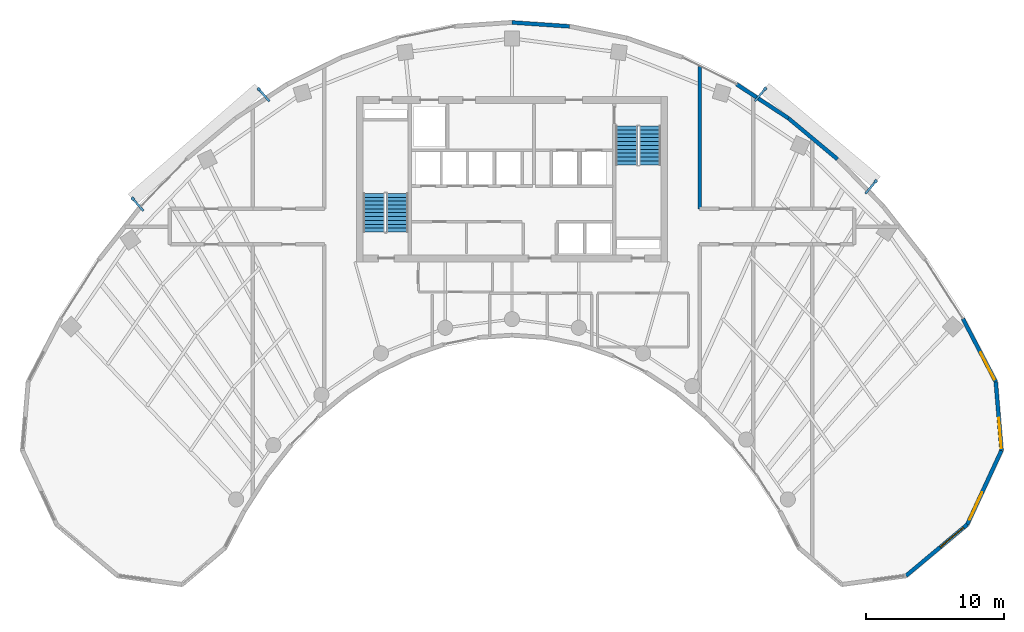
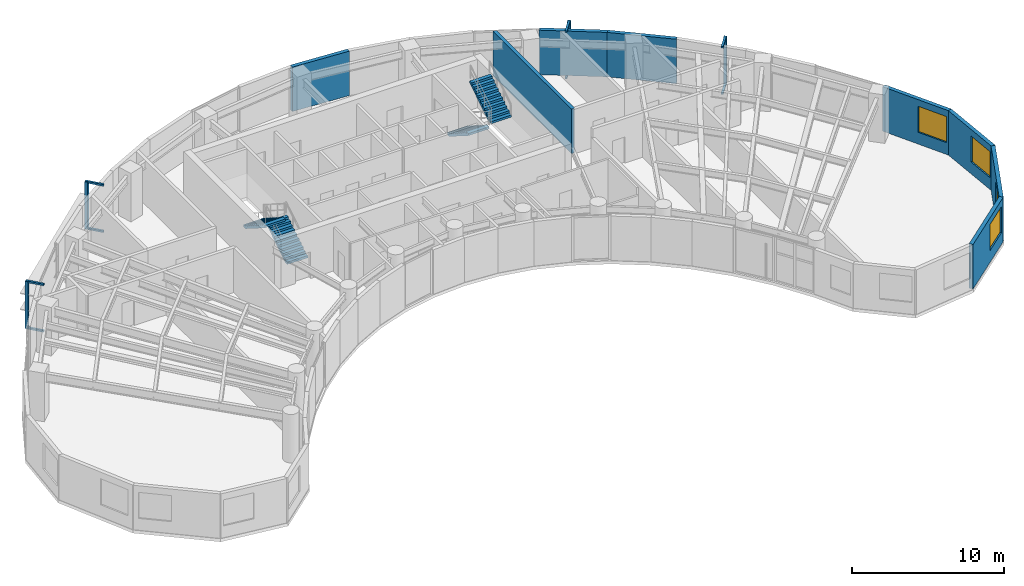
# One storey, part 11 of 13: 12 discrete accessories, 8 walls, 4 stair flights, 4 windows, 4 openings, 2 elements without a shape of their own.
"""IFC4 building model written with IfcOpenShell, lengths in metres."""

from ifc_helpers import new_model, si_unit, direction, frame, frame_2d, origin, origin_2d, place, context, subcontext, project, spatial, polyline, rectangle, outline, extrude, source, transform, mapped, material, layer, layer_set, type_object, type_shapes, element, fill, aggregate, save


model = new_model("IFC4")

# Units and contexts
model_context = context("Model", 3, precision=1e-05, world=origin(), true_north=direction((0.0, 1.0)))
body_context = subcontext(model_context, "Body", "Model", "MODEL_VIEW")
ifc_project = project(units=[si_unit("LENGTHUNIT", "METRE"), si_unit("AREAUNIT", "SQUARE_METRE"), si_unit("VOLUMEUNIT", "CUBIC_METRE"), si_unit("PLANEANGLEUNIT", "RADIAN"), si_unit("MASSUNIT", "GRAM", prefix="KILO")], contexts=[model_context])

# Site, building, storey
site_placement = place(None, origin())
site = spatial("IfcSite", under=ifc_project, at=site_placement, CompositionType="ELEMENT")
building_placement = place(site_placement, origin())
building = spatial("IfcBuilding", under=site, at=building_placement, Name="Breltana Convention Tower", CompositionType="ELEMENT")
storey_placement = place(building_placement, frame((0.0, 0.0, 185.699951171875)))
storey = spatial("IfcBuildingStorey", under=building, at=storey_placement, Name="L45", CompositionType="ELEMENT", Elevation=185.699951171875)

# Wall, opening, window
ifc_material_1 = material(Name="Limestone Buff Insulated Wall", Category="masonry")
ifc_layer_1 = layer(ifc_material_1, 0.280029296875, Name="Limestone Buff Insulated Wall")
ifc_layer_set_1 = layer_set([ifc_layer_1], Name="Limestone Buff Insulated Wall")
wall_type_1 = type_object("IfcWallType", Name="WL-EXT-NOSE-280", PredefinedType="SOLIDWALL", material=ifc_layer_set_1)
shared_shape_1 = source(origin(), body_context, "Body", "SweptSolid", [
    extrude(rectangle(XDim=4.994384765625, YDim=0.280029296875, at=frame_2d((2.4970703125, 0.0))), origin(), (0.0, 0.0, 1.0), 3.580078125),
])
wall_1_placement = place(storey_placement, frame((83.102294921875, 51.48876953125, 0.0), z_axis=(0.0, 0.0, 1.0), x_axis=(0.083344839916, -0.996520766296, 0.0)))
wall_1 = element("IfcWall", 1, at=wall_1_placement, inside=storey, type_object=wall_type_1, Name="L45 curved limestone nose wall E1", PredefinedType="SOLIDWALL", context=body_context, shape_type="MappedRepresentation", body=[
    mapped(shared_shape_1, transform((0.0, 0.0, 0.0), scale=1.0)),
])
opening_1_placement = place(wall_1_placement, frame((2.634521484375, 0.0, 0.949951171875)))
opening_1 = element("IfcOpeningElement", 2, at=opening_1_placement, cuts=wall_1, Name="Opening W-03", PredefinedType="OPENING", context=body_context, shape_type="SweptSolid", body=[
    extrude(rectangle(XDim=2.199951171875, YDim=2.10009765625, at=frame_2d((1.10009765625, 1.050048828125))), frame((0.0, 0.14990234375, 0.0), z_axis=(0.0, -1.0, 0.0), x_axis=(1.0, 0.0, 0.0)), (0.0, 0.0, 1.0), 0.300048828125),
])
ifc_material_2 = material(Name="Glass Low-E Insulated Window", Category="glass")
window_type = type_object("IfcWindowType", Name="WN-NOSE-2200X2100", PartitioningType="TRIPLE_PANEL_VERTICAL", PredefinedType="WINDOW", material=ifc_material_2)
shared_shape_2 = source(origin(), body_context, "Body", "SweptSolid", [
    extrude(rectangle(XDim=2.199951171875, YDim=2.10009765625, at=frame_2d((1.10009765625, 1.050048828125))), frame((0.0, 0.030029296875, 0.0), z_axis=(0.0, -1.0, 0.0), x_axis=(1.0, 0.0, 0.0)), (0.0, 0.0, 1.0), 0.06005859375),
])
type_shapes(window_type, [shared_shape_2])
window_1_placement = place(opening_1_placement, origin())
window_1 = element("IfcWindow", 3, at=window_1_placement, inside=storey, type_object=window_type, Name="L45 nose window E1", OverallHeight=2.10009765625, OverallWidth=2.199951171875, PartitioningType="TRIPLE_PANEL_VERTICAL", PredefinedType="WINDOW", context=body_context, shape_type="MappedRepresentation", body=[
    mapped(shared_shape_2, transform((0.0, 0.0, 0.0), scale=1.0)),
])
fill(opening_1, window_1)

shared_shape_3 = source(origin(), body_context, "Body", "SweptSolid", [
    extrude(rectangle(XDim=5.927490234375, YDim=0.280029296875, at=frame_2d((2.9638671875, 0.0))), origin(), (0.0, 0.0, 1.0), 3.580078125),
])
wall_2_placement = place(storey_placement, frame((83.5185546875, 46.51171875, 0.0), z_axis=(0.0, 0.0, 1.0), x_axis=(-0.419656204795, -0.907683132914, 0.0)))
wall_2 = element("IfcWall", 4, at=wall_2_placement, inside=storey, type_object=wall_type_1, Name="L45 curved limestone nose wall E2", PredefinedType="SOLIDWALL", context=body_context, shape_type="MappedRepresentation", body=[
    mapped(shared_shape_3, transform((0.0, 0.0, 0.0), scale=1.0)),
])
opening_2_placement = place(wall_2_placement, frame((3.345703125, 0.0, 0.949951171875)))
opening_2 = element("IfcOpeningElement", 5, at=opening_2_placement, cuts=wall_2, Name="Opening W-03", PredefinedType="OPENING", context=body_context, shape_type="SweptSolid", body=[
    extrude(rectangle(XDim=2.199951171875, YDim=2.10009765625, at=frame_2d((1.10009765625, 1.050048828125))), frame((0.0, 0.14990234375, 0.0), z_axis=(0.0, -1.0, 0.0), x_axis=(1.0, 0.0, 0.0)), (0.0, 0.0, 1.0), 0.300048828125),
])
window_2_placement = place(opening_2_placement, origin())
window_2 = element("IfcWindow", 6, at=window_2_placement, inside=storey, type_object=window_type, Name="L45 nose window E2", OverallHeight=2.10009765625, OverallWidth=2.199951171875, PartitioningType="TRIPLE_PANEL_VERTICAL", PredefinedType="WINDOW", context=body_context, shape_type="MappedRepresentation", body=[
    mapped(shared_shape_2, transform((0.0, 0.0, 0.0), scale=1.0)),
])
fill(opening_2, window_2)

shared_shape_4 = source(origin(), body_context, "Body", "SweptSolid", [
    extrude(rectangle(XDim=5.786376953125, YDim=0.280029296875, at=frame_2d((2.89306640625, 0.0))), origin(), (0.0, 0.0, 1.0), 3.580078125),
])
wall_3_placement = place(storey_placement, frame((81.031005859375, 41.13134765625, 0.0), z_axis=(0.0, 0.0, 1.0), x_axis=(-0.766711306852, -0.641992034176, 0.0)))
wall_3 = element("IfcWall", 7, at=wall_3_placement, inside=storey, type_object=wall_type_1, Name="L45 curved limestone nose wall E3", PredefinedType="SOLIDWALL", context=body_context, shape_type="MappedRepresentation", body=[
    mapped(shared_shape_4, transform((0.0, 0.0, 0.0), scale=1.0)),
])
opening_3_placement = place(wall_3_placement, frame((0.3466796875, 0.0, 0.949951171875)))
opening_3 = element("IfcOpeningElement", 8, at=opening_3_placement, cuts=wall_3, Name="Opening W-03", PredefinedType="OPENING", context=body_context, shape_type="SweptSolid", body=[
    extrude(rectangle(XDim=2.199951171875, YDim=2.10009765625, at=frame_2d((1.10009765625, 1.050048828125))), frame((0.0, 0.14990234375, 0.0), z_axis=(0.0, -1.0, 0.0), x_axis=(1.0, 0.0, 0.0)), (0.0, 0.0, 1.0), 0.300048828125),
])
window_3_placement = place(opening_3_placement, origin())
window_3 = element("IfcWindow", 9, at=window_3_placement, inside=storey, type_object=window_type, Name="L45 nose window E3", OverallHeight=2.10009765625, OverallWidth=2.199951171875, PartitioningType="TRIPLE_PANEL_VERTICAL", PredefinedType="WINDOW", context=body_context, shape_type="MappedRepresentation", body=[
    mapped(shared_shape_2, transform((0.0, 0.0, 0.0), scale=1.0)),
])
fill(opening_3, window_3)

shared_shape_5 = source(origin(), body_context, "Body", "SweptSolid", [
    extrude(rectangle(XDim=5.1708984375, YDim=0.280029296875, at=frame_2d((2.58544921875, 0.0))), origin(), (0.0, 0.0, 1.0), 3.580078125),
])
wall_4_placement = place(storey_placement, frame((80.714599609375, 56.075439453125, 0.0), z_axis=(0.0, 0.0, 1.0), x_axis=(0.461752581363, -0.887008767491, 0.0)))
wall_4 = element("IfcWall", 10, at=wall_4_placement, inside=storey, type_object=wall_type_1, Name="L45 curved limestone nose wall E33", PredefinedType="SOLIDWALL", context=body_context, shape_type="MappedRepresentation", body=[
    mapped(shared_shape_5, transform((0.0, 0.0, 0.0), scale=1.0)),
])
opening_4_placement = place(wall_4_placement, frame((2.7783203125, 0.0, 0.949951171875)))
opening_4 = element("IfcOpeningElement", 11, at=opening_4_placement, cuts=wall_4, Name="Opening W-03", PredefinedType="OPENING", context=body_context, shape_type="SweptSolid", body=[
    extrude(rectangle(XDim=2.199951171875, YDim=2.10009765625, at=frame_2d((1.10009765625, 1.050048828125))), frame((0.0, 0.14990234375, 0.0), z_axis=(0.0, -1.0, 0.0), x_axis=(1.0, 0.0, 0.0)), (0.0, 0.0, 1.0), 0.300048828125),
])
window_4_placement = place(opening_4_placement, origin())
window_4 = element("IfcWindow", 12, at=window_4_placement, inside=storey, type_object=window_type, Name="L45 nose window E33", OverallHeight=2.10009765625, OverallWidth=2.199951171875, PartitioningType="TRIPLE_PANEL_VERTICAL", PredefinedType="WINDOW", context=body_context, shape_type="MappedRepresentation", body=[
    mapped(shared_shape_2, transform((0.0, 0.0, 0.0), scale=1.0)),
])
fill(opening_4, window_4)

# Walls
shared_shape_6 = source(origin(), body_context, "Body", "SweptSolid", [
    extrude(rectangle(XDim=4.633544921875, YDim=0.280029296875, at=frame_2d((2.31689453125, 0.0))), origin(), (0.0, 0.0, 1.0), 3.580078125),
])
wall_5_placement = place(storey_placement, frame((68.060791015625, 70.610107421875, 0.0), z_axis=(0.0, 0.0, 1.0), x_axis=(0.767910229096, -0.640557475993, 0.0)))
element("IfcWall", 13, at=wall_5_placement, inside=storey, type_object=wall_type_1, Name="L45 curved limestone nose wall E30", PredefinedType="SOLIDWALL", context=body_context, shape_type="MappedRepresentation", body=[
    mapped(shared_shape_6, transform((0.0, 0.0, 0.0), scale=1.0)),
])
shared_shape_7 = source(origin(), body_context, "Body", "SweptSolid", [
    extrude(rectangle(XDim=4.500732421875, YDim=0.280029296875, at=frame_2d((2.25048828125, 0.0))), origin(), (0.0, 0.0, 1.0), 3.580078125),
])
wall_6_placement = place(storey_placement, frame((64.29833984375, 73.079833984375, 0.0), z_axis=(0.0, 0.0, 1.0), x_axis=(0.835984920737, -0.548752414391, 0.0)))
element("IfcWall", 14, at=wall_6_placement, inside=storey, type_object=wall_type_1, Name="L45 curved limestone nose wall E29", PredefinedType="SOLIDWALL", context=body_context, shape_type="MappedRepresentation", body=[
    mapped(shared_shape_7, transform((0.0, 0.0, 0.0), scale=1.0)),
])
shared_shape_8 = source(origin(), body_context, "Body", "SweptSolid", [
    extrude(rectangle(XDim=4.189208984375, YDim=0.280029296875, at=frame_2d((2.0947265625, 0.0))), origin(), (0.0, 0.0, 1.0), 3.580078125),
])
wall_7_placement = place(storey_placement, frame((48.0, 77.563720703125, 0.0), z_axis=(0.0, 0.0, 1.0), x_axis=(0.997700560699, -0.067776036921, 0.0)))
element("IfcWall", 15, at=wall_7_placement, inside=storey, type_object=wall_type_1, Name="L45 curved limestone nose wall E26", PredefinedType="SOLIDWALL", context=body_context, shape_type="MappedRepresentation", body=[
    mapped(shared_shape_8, transform((0.0, 0.0, 0.0), scale=1.0)),
])
ifc_material_3 = material(Name="Gypsum Acoustic Double Stud Wall")
ifc_layer_2 = layer(ifc_material_3, 0.25, Name="Gypsum Acoustic Double Stud Wall")
ifc_layer_set_2 = layer_set([ifc_layer_2], Name="Gypsum Acoustic Double Stud Wall")
wall_type_2 = type_object("IfcWallType", Name="WL-ACOUSTIC-250", PredefinedType="PARTITIONING", material=ifc_layer_set_2)
shared_shape_9 = source(origin(), body_context, "Body", "SweptSolid", [
    extrude(rectangle(XDim=10.346435546875, YDim=0.25, at=frame_2d((5.17333984375, 0.0))), origin(), (0.0, 0.0, 1.0), 3.580078125),
])
wall_8_placement = place(storey_placement, frame((61.639892578125, 64.0400390625, 0.0), z_axis=(0.0, 0.0, 1.0), x_axis=(0.0, 1.0, 0.0)))
element("IfcWall", 16, at=wall_8_placement, inside=storey, type_object=wall_type_2, Name="L45 interior partition W-L45-ZODD-EN", PredefinedType="PARTITIONING", context=body_context, shape_type="MappedRepresentation", body=[
    mapped(shared_shape_9, transform((0.0, 0.0, 0.0), scale=1.0)),
])

# Stair, stair flights
ifc_material_4 = material(Name="Concrete C40/50", Category="concrete")
stair_type = type_object("IfcStairType", Name="ST-DOG-1560-R177", PredefinedType="HALF_TURN_STAIR", material=ifc_material_4)
stair_1_placement = place(storey_placement, origin())
stair_1 = element("IfcStair", 17, at=stair_1_placement, inside=storey, type_object=stair_type, Name="L45 Protected Core Exit Stair ST-1", PredefinedType="HALF_TURN_STAIR")
stair_flight_type = type_object("IfcStairFlightType", Name="STF-DOG-1560-N11-R177", PredefinedType="STRAIGHT", material=ifc_material_4)
stair_flight_1_placement = place(storey_placement, frame((39.68994140625, 62.360107421875, 0.0), z_axis=(0.0, 0.0, 1.0), x_axis=(0.0, 1.0, 0.0)))
stair_flight_1 = element("IfcStairFlight", 18, at=stair_flight_1_placement, type_object=stair_flight_type, Name="ST-1 flight 1", NumberOfRisers=11, NumberOfTreads=10, PredefinedType="STRAIGHT", RiserHeight=0.177272727, TreadLength=0.28, context=body_context, shape_type="SweptSolid", body=[
    extrude(outline(polyline([(0.0, 0.0), (0.0, 0.17724609375), (0.280029296875, 0.17724609375), (0.280029296875, 0.3544921875), (0.56005859375, 0.3544921875), (0.56005859375, 0.53173828125), (0.840087890625, 0.53173828125), (0.840087890625, 0.708984375), (1.1201171875, 0.708984375), (1.1201171875, 0.886474609375), (1.39990234375, 0.886474609375), (1.39990234375, 1.063720703125), (1.679931640625, 1.063720703125), (1.679931640625, 1.240966796875), (1.9599609375, 1.240966796875), (1.9599609375, 1.418212890625), (2.239990234375, 1.418212890625), (2.239990234375, 1.595458984375), (2.52001953125, 1.595458984375), (2.52001953125, 1.772705078125), (2.800048828125, 1.772705078125), (2.800048828125, 1.949951171875), (2.800048828125, 1.59521484375), (0.2802734375, 0.0), (0.0, 0.0)])), frame((0.0, 0.780029296875, 0.0), z_axis=(0.0, -1.0, 0.0), x_axis=(1.0, 0.0, 0.0)), (0.0, 0.0, 1.0), 1.56005859375),
])
stair_flight_2_placement = place(storey_placement, frame((37.97998046875, 65.159912109375, 1.949951171875), z_axis=(0.0, 0.0, 1.0), x_axis=(0.0, -1.0, 0.0)))
stair_flight_2 = element("IfcStairFlight", 19, at=stair_flight_2_placement, type_object=stair_flight_type, Name="ST-1 flight 2", NumberOfRisers=11, NumberOfTreads=10, PredefinedType="STRAIGHT", RiserHeight=0.177272727, TreadLength=0.28, context=body_context, shape_type="SweptSolid", body=[
    extrude(outline(polyline([(0.0, 0.0), (0.0, 0.17724609375), (0.280029296875, 0.17724609375), (0.280029296875, 0.3544921875), (0.56005859375, 0.3544921875), (0.56005859375, 0.53173828125), (0.840087890625, 0.53173828125), (0.840087890625, 0.708984375), (1.1201171875, 0.708984375), (1.1201171875, 0.886474609375), (1.39990234375, 0.886474609375), (1.39990234375, 1.063720703125), (1.679931640625, 1.063720703125), (1.679931640625, 1.240966796875), (1.9599609375, 1.240966796875), (1.9599609375, 1.418212890625), (2.239990234375, 1.418212890625), (2.239990234375, 1.595458984375), (2.52001953125, 1.595458984375), (2.52001953125, 1.772705078125), (2.800048828125, 1.772705078125), (2.800048828125, 1.949951171875), (2.800048828125, 1.59521484375), (0.2802734375, 0.0), (0.0, 0.0)])), frame((0.0, 0.780029296875, 0.0), z_axis=(0.0, -1.0, 0.0), x_axis=(1.0, 0.0, 0.0)), (0.0, 0.0, 1.0), 1.56005859375),
])
aggregate(stair_1, [stair_flight_1, stair_flight_2])

stair_2_placement = place(storey_placement, origin())
stair_2 = element("IfcStair", 20, at=stair_2_placement, inside=storey, type_object=stair_type, Name="L45 Protected Core Exit Stair ST-2", PredefinedType="HALF_TURN_STAIR")
stair_flight_3_placement = place(storey_placement, frame((56.31005859375, 70.0400390625, 0.0), z_axis=(0.0, 0.0, 1.0), x_axis=(0.0, -1.0, 0.0)))
stair_flight_3 = element("IfcStairFlight", 21, at=stair_flight_3_placement, type_object=stair_flight_type, Name="ST-2 flight 1", NumberOfRisers=11, NumberOfTreads=10, PredefinedType="STRAIGHT", RiserHeight=0.177272727, TreadLength=0.28, context=body_context, shape_type="SweptSolid", body=[
    extrude(outline(polyline([(0.0, 0.0), (0.0, 0.17724609375), (0.280029296875, 0.17724609375), (0.280029296875, 0.3544921875), (0.56005859375, 0.3544921875), (0.56005859375, 0.53173828125), (0.840087890625, 0.53173828125), (0.840087890625, 0.708984375), (1.1201171875, 0.708984375), (1.1201171875, 0.886474609375), (1.39990234375, 0.886474609375), (1.39990234375, 1.063720703125), (1.679931640625, 1.063720703125), (1.679931640625, 1.240966796875), (1.9599609375, 1.240966796875), (1.9599609375, 1.418212890625), (2.239990234375, 1.418212890625), (2.239990234375, 1.595458984375), (2.52001953125, 1.595458984375), (2.52001953125, 1.772705078125), (2.800048828125, 1.772705078125), (2.800048828125, 1.949951171875), (2.800048828125, 1.59521484375), (0.2802734375, 0.0), (0.0, 0.0)])), frame((0.0, 0.780029296875, 0.0), z_axis=(0.0, -1.0, 0.0), x_axis=(1.0, 0.0, 0.0)), (0.0, 0.0, 1.0), 1.56005859375),
])
stair_flight_4_placement = place(storey_placement, frame((58.02001953125, 67.239990234375, 1.949951171875), z_axis=(0.0, 0.0, 1.0), x_axis=(0.0, 1.0, 0.0)))
stair_flight_4 = element("IfcStairFlight", 22, at=stair_flight_4_placement, type_object=stair_flight_type, Name="ST-2 flight 2", NumberOfRisers=11, NumberOfTreads=10, PredefinedType="STRAIGHT", RiserHeight=0.177272727, TreadLength=0.28, context=body_context, shape_type="SweptSolid", body=[
    extrude(outline(polyline([(0.0, 0.0), (0.0, 0.17724609375), (0.280029296875, 0.17724609375), (0.280029296875, 0.3544921875), (0.56005859375, 0.3544921875), (0.56005859375, 0.53173828125), (0.840087890625, 0.53173828125), (0.840087890625, 0.708984375), (1.1201171875, 0.708984375), (1.1201171875, 0.886474609375), (1.39990234375, 0.886474609375), (1.39990234375, 1.063720703125), (1.679931640625, 1.063720703125), (1.679931640625, 1.240966796875), (1.9599609375, 1.240966796875), (1.9599609375, 1.418212890625), (2.239990234375, 1.418212890625), (2.239990234375, 1.595458984375), (2.52001953125, 1.595458984375), (2.52001953125, 1.772705078125), (2.800048828125, 1.772705078125), (2.800048828125, 1.949951171875), (2.800048828125, 1.59521484375), (0.2802734375, 0.0), (0.0, 0.0)])), frame((0.0, 0.780029296875, 0.0), z_axis=(0.0, -1.0, 0.0), x_axis=(1.0, 0.0, 0.0)), (0.0, 0.0, 1.0), 1.56005859375),
])
aggregate(stair_2, [stair_flight_3, stair_flight_4])

# Discrete accessories
ifc_material_5 = material(Name="Steel S355", Category="steel")
discrete_accessory_type_1 = type_object("IfcDiscreteAccessoryType", Name="ACC-DSF-BRACKET-150", PredefinedType="BRACKET", material=ifc_material_5)
shared_shape_10 = source(origin(), body_context, "Body", "SweptSolid", [
    extrude(rectangle(XDim=1.239990234375, YDim=0.14990234375, at=origin_2d()), origin(), (0.0, 0.0, 1.0), 0.139892578125),
])
type_shapes(discrete_accessory_type_1, [shared_shape_10])
for number, where, z_axis, x_axis, name in (
    (23, (20.849853515625, 64.353271484375, -0.15966796875), (0.0, 0.0, 1.0), (-0.65645558996, 0.754364672032, 0.0), "L45 double-skin slab stand-off bracket 1.1B"),
    (24, (20.849853515625, 64.353271484375, 3.580078125), (0.0, 0.0, 1.0), (-0.65645558996, 0.754364672032, 0.0), "L45 double-skin slab stand-off bracket 1.1T"),
    (25, (29.988525390625, 72.305908203125, -0.15966796875), (0.0, 0.0, 1.0), (-0.65645558996, 0.754364672032, 0.0), "L45 double-skin slab stand-off bracket 1.2B"),
    (26, (29.988525390625, 72.305908203125, 3.580078125), (0.0, 0.0, 1.0), (-0.65645558996, 0.754364672032, 0.0), "L45 double-skin slab stand-off bracket 1.2T"),
    (27, (66.019287109375, 72.327880859375, -0.15966796875), (0.0, 0.0, 1.0), (0.641989340657, 0.766713562214, 0.0), "L45 double-skin slab stand-off bracket 2.1B"),
    (28, (66.019287109375, 72.327880859375, 3.580078125), (0.0, 0.0, 1.0), (0.641989340657, 0.766713562214, 0.0), "L45 double-skin slab stand-off bracket 2.1T"),
    (29, (74.037841796875, 65.61376953125, -0.15966796875), (0.0, 0.0, 1.0), (0.641989340657, 0.766713562214, 0.0), "L45 double-skin slab stand-off bracket 2.2B"),
    (30, (74.037841796875, 65.61376953125, 3.580078125), (0.0, 0.0, 1.0), (0.641989340657, 0.766713562214, 0.0), "L45 double-skin slab stand-off bracket 2.2T"),
):
    element("IfcDiscreteAccessory", number, at=place(storey_placement, frame(where, z_axis=z_axis, x_axis=x_axis)), inside=storey, type_object=discrete_accessory_type_1, Name=name, PredefinedType="BRACKET", context=body_context, shape_type="MappedRepresentation", body=[
        mapped(shared_shape_10, transform((0.0, 0.0, 0.0), scale=1.0)),
    ])
discrete_accessory_type_2 = type_object("IfcDiscreteAccessoryType", Name="ACC-DSF-CARRIER-150", PredefinedType="BRACKET", material=ifc_material_5)
shared_shape_11 = source(origin(), body_context, "Body", "SweptSolid", [
    extrude(rectangle(XDim=0.219970703125, YDim=0.219970703125, at=origin_2d()), origin(), (0.0, 0.0, 1.0), 3.800048828125),
])
for number, where, z_axis, x_axis, name in (
    (31, (20.482177734375, 64.77587890625, -0.1201171875), (0.0, 0.0, 1.0), (-0.65645558996, 0.754364672032, 0.0), "L45 double-skin outer vertical carrier 1.1"),
    (32, (29.620849609375, 72.728271484375, -0.1201171875), (0.0, 0.0, 1.0), (-0.65645558996, 0.754364672032, 0.0), "L45 double-skin outer vertical carrier 1.2"),
    (33, (66.37890625, 72.757080078125, -0.1201171875), (0.0, 0.0, 1.0), (0.641989340657, 0.766713562214, 0.0), "L45 double-skin outer vertical carrier 2.1"),
    (34, (74.3974609375, 66.043212890625, -0.1201171875), (0.0, 0.0, 1.0), (0.641989340657, 0.766713562214, 0.0), "L45 double-skin outer vertical carrier 2.2"),
):
    element("IfcDiscreteAccessory", number, at=place(storey_placement, frame(where, z_axis=z_axis, x_axis=x_axis)), inside=storey, type_object=discrete_accessory_type_2, Name=name, PredefinedType="BRACKET", context=body_context, shape_type="MappedRepresentation", body=[
        mapped(shared_shape_11, transform((0.0, 0.0, 0.0), scale=1.0)),
    ])

save(model, "model.ifc")
